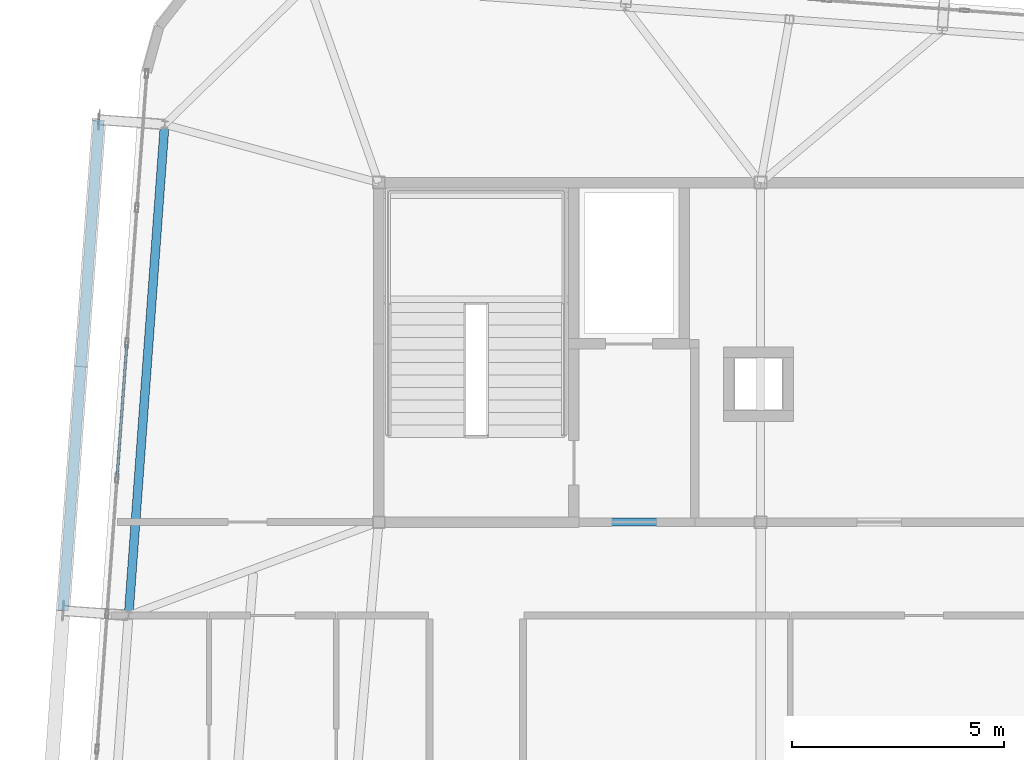
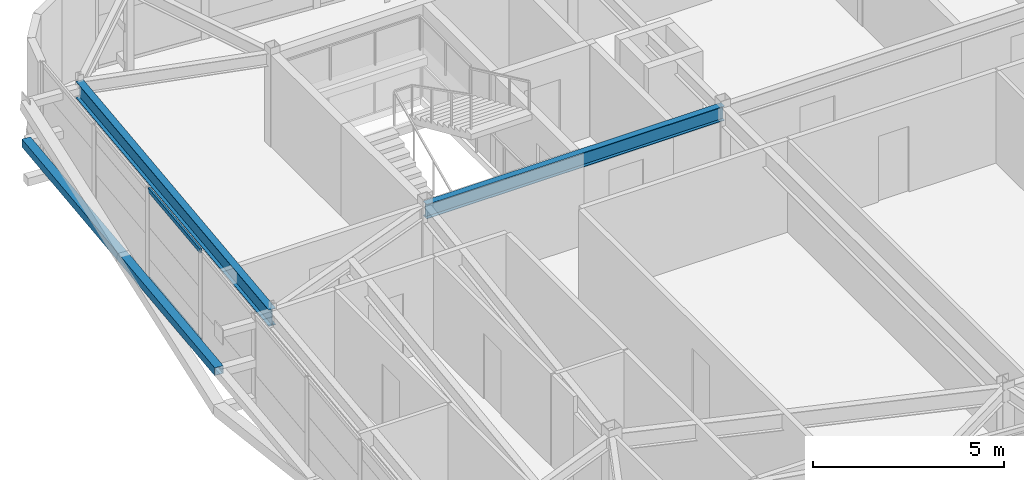
# One storey, part 16 of 42: 3 members, 2 beams, 1 element without a shape of its own.
"""IFC4 building model written with IfcOpenShell, lengths in metres."""

import ifcopenshell
import ifcopenshell.guid

model = None  # the IFC model being written
_history = None  # IfcOwnerHistory: only IFC2X3 demands one
_inside = {}  # id of a spatial element -> (the spatial element, [elements in it])
_under = {}  # id of a project, library or spatial element -> (it, [spatial elements below it])
_declared = {}  # id of a project -> (the project, [libraries it declares])
_typed = {}  # id of a type object -> (the type object, [elements of that type])
_made_of = {}  # id of a material, layer set ... -> (it, [elements and type objects made of it])


def new_model(schema):
    """Start an empty IFC model of exactly this schema.

    Asked for "IFC4X3", IfcOpenShell would pick the latest addendum, in which some entities
    have other attributes; the version numbers below select the first issue.
    IFC2X3 requires an IfcOwnerHistory on every rooted entity: one is made here for all.
    """
    global model, _history
    if schema == "IFC4X3":
        model = ifcopenshell.file(schema_version=(4, 3, 0, 0))
    else:
        model = ifcopenshell.file(schema=schema)
    _inside.clear()
    _under.clear()
    _declared.clear()
    _typed.clear()
    _made_of.clear()
    _history = None
    if model.schema == "IFC2X3":
        org = make("IfcOrganization", Name="unknown")
        user = make(
            "IfcPersonAndOrganization",
            ThePerson=make("IfcPerson", FamilyName="unknown"),
            TheOrganization=org,
        )
        app = make(
            "IfcApplication",
            ApplicationDeveloper=org,
            Version="unknown",
            ApplicationFullName="unknown",
            ApplicationIdentifier="unknown",
        )
        _history = make(
            "IfcOwnerHistory",
            OwningUser=user,
            OwningApplication=app,
            ChangeAction="ADDED",
            CreationDate=0,
        )
    return model


def make(cls, **values):
    """One entity of the class cls with the attributes given. An attribute that is None is left unset."""
    return model.create_entity(
        cls, **{name: value for name, value in values.items() if value is not None}
    )


def rooted(cls, **values):
    """An entity with a GlobalId (a new one), such as an element, a storey or a relation."""
    return make(cls, GlobalId=ifcopenshell.guid.new(), OwnerHistory=_history, **values)


def si_unit(unit_type, name, prefix=None):
    """IfcSIUnit, for example si_unit("LENGTHUNIT", "METRE", prefix="MILLI")."""
    return make("IfcSIUnit", UnitType=unit_type, Prefix=prefix, Name=name)


def assignment(units):
    """IfcUnitAssignment: the units of a project."""
    return None if units is None else make("IfcUnitAssignment", Units=units)


def point(xyz):
    """IfcCartesianPoint."""
    return None if xyz is None else make("IfcCartesianPoint", Coordinates=xyz)


def direction(xyz):
    """IfcDirection."""
    return None if xyz is None else make("IfcDirection", DirectionRatios=xyz)


def frame(location, z_axis=None, x_axis=None):
    """IfcAxis2Placement3D, a coordinate frame: its origin and axes. An axis left out is left unset."""
    return make(
        "IfcAxis2Placement3D",
        Location=point(location),
        Axis=direction(z_axis),
        RefDirection=direction(x_axis),
    )


def frame_2d(location, x_axis=None):
    """IfcAxis2Placement2D, a coordinate frame in the plane: its origin and x axis."""
    return make(
        "IfcAxis2Placement2D", Location=point(location), RefDirection=direction(x_axis)
    )


def origin():
    """The frame at (0, 0, 0) with its axes left unset."""
    return frame((0.0, 0.0, 0.0))


def origin_2d():
    """The frame at (0, 0) in the plane with its x axis left unset."""
    return frame_2d((0.0, 0.0))


def place(relative_to, where):
    """IfcLocalPlacement: puts the frame where relative to a parent placement (None: the world)."""
    return make(
        "IfcLocalPlacement", PlacementRelTo=relative_to, RelativePlacement=where
    )


def context(
    kind, dimensions, precision=None, world=None, true_north=None, identifier=None
):
    """IfcGeometricRepresentationContext, for example the 3D "Model" context."""
    return make(
        "IfcGeometricRepresentationContext",
        ContextIdentifier=identifier,
        ContextType=kind,
        CoordinateSpaceDimension=dimensions,
        Precision=precision,
        WorldCoordinateSystem=world,
        TrueNorth=true_north,
    )


def subcontext(parent, identifier, kind, view, scale=None):
    """IfcGeometricRepresentationSubContext, for example "Body" below "Model"."""
    return make(
        "IfcGeometricRepresentationSubContext",
        ContextIdentifier=identifier,
        ContextType=kind,
        ParentContext=parent,
        TargetScale=scale,
        TargetView=view,
    )


def project(units=None, contexts=None):
    """IfcProject with its units and contexts."""
    return rooted(
        "IfcProject",
        Name="project",
        RepresentationContexts=contexts,
        UnitsInContext=assignment(units),
    )


def spatial(cls, under=None, at=None, **own):
    """A site, building, storey or space (cls), placed at a placement, below another one or the project."""
    s = rooted(cls, ObjectPlacement=at, **own)
    if under is not None:
        _under.setdefault(under.id(), (under, []))[1].append(s)
    return s


def profile(cls, at=None, kind="AREA", **sizes):
    """A parametric profile (cls). Its sizes go by their IFC names, for example OverallWidth=200.0."""
    return make(cls, ProfileType=kind, Position=at, **sizes)


def hollow_rectangle(**sizes):
    """IfcRectangleHollowProfileDef."""
    return profile("IfcRectangleHollowProfileDef", **sizes)


def i_section(**sizes):
    """IfcIShapeProfileDef."""
    return profile("IfcIShapeProfileDef", **sizes)


def extrude(swept, where, along, depth):
    """IfcExtrudedAreaSolid: the profile swept, set in the frame where, extruded along a direction by depth."""
    return make(
        "IfcExtrudedAreaSolid",
        SweptArea=swept,
        Position=where,
        ExtrudedDirection=direction(along),
        Depth=depth,
    )


def shape(context_of_items, identifier, shape_type, items):
    """IfcShapeRepresentation: the items that make up one representation, for example the "Body"."""
    return make(
        "IfcShapeRepresentation",
        ContextOfItems=context_of_items,
        RepresentationIdentifier=identifier,
        RepresentationType=shape_type,
        Items=items,
    )


def source(mapping_origin, context_of_items, identifier, shape_type, items):
    """IfcRepresentationMap: a shape defined once, which mapped items show again and again."""
    return make(
        "IfcRepresentationMap",
        MappingOrigin=mapping_origin,
        MappedRepresentation=shape(context_of_items, identifier, shape_type, items),
    )


def transform(
    local_origin,
    x_axis=None,
    y_axis=None,
    z_axis=None,
    scale=None,
    scale2=None,
    scale3=None,
    uniform=True,
):
    """IfcCartesianTransformationOperator3D, or its non-uniform kind. x_axis, y_axis, z_axis: its Axis1, 2, 3."""
    if uniform:
        return make(
            "IfcCartesianTransformationOperator3D",
            Axis1=direction(x_axis),
            Axis2=direction(y_axis),
            LocalOrigin=point(local_origin),
            Scale=scale,
            Axis3=direction(z_axis),
        )
    return make(
        "IfcCartesianTransformationOperator3DnonUniform",
        Axis1=direction(x_axis),
        Axis2=direction(y_axis),
        LocalOrigin=point(local_origin),
        Scale=scale,
        Axis3=direction(z_axis),
        Scale2=scale2,
        Scale3=scale3,
    )


def mapped(mapping_source, mapping_target):
    """IfcMappedItem: shows the shape of a source again, moved by a transform."""
    return make(
        "IfcMappedItem", MappingSource=mapping_source, MappingTarget=mapping_target
    )


def material(Name=None, Category=None):
    """IfcMaterial."""
    return make("IfcMaterial", Name=Name, Category=Category)


def layer(
    of_material, thickness, ventilated=None, Name=None, Category=None, Priority=None
):
    """IfcMaterialLayer: one layer of a wall or slab, of a material (None: an air gap)."""
    return make(
        "IfcMaterialLayer",
        Material=of_material,
        LayerThickness=thickness,
        IsVentilated=ventilated,
        Name=Name,
        Category=Category,
        Priority=Priority,
    )


def layer_set(layers, Name=None):
    """IfcMaterialLayerSet."""
    return make("IfcMaterialLayerSet", MaterialLayers=layers, LayerSetName=Name)


def material_profile(
    of_material, cross_section, Name=None, Category=None, Priority=None
):
    """IfcMaterialProfile: a cross section and its material."""
    return make(
        "IfcMaterialProfile",
        Name=Name,
        Material=of_material,
        Profile=cross_section,
        Priority=Priority,
        Category=Category,
    )


def profile_set(profiles, Name=None, composite=None):
    """IfcMaterialProfileSet."""
    return make(
        "IfcMaterialProfileSet",
        Name=Name,
        MaterialProfiles=profiles,
        CompositeProfile=composite,
    )


def made_of(thing, what):
    """Note that an element or type object is made of a material, layer set ...; save() writes the relation."""
    if what is not None:
        _made_of.setdefault(what.id(), (what, []))[1].append(thing)
    return thing


def type_object(cls, material=None, **own):
    """A type object (cls), such as IfcWallType, which elements share."""
    return made_of(rooted(cls, **own), material)


def element(
    cls,
    number,
    at=None,
    inside=None,
    cuts=None,
    type_object=None,
    material=None,
    context=None,
    identifier="Body",
    shape_type=None,
    held_by="IfcProductDefinitionShape",
    body=None,
    shapes=None,
    **own,
):
    """One element of the class cls, such as IfcWall. Its Tag is "e" and its number.

    at: its placement. inside: the storey or other place that contains it. cuts: it is an
    opening in that element (IfcRelVoidsElement). A single representation is given by context,
    identifier, shape_type and body (its items); several are given by shapes. held_by: the class
    of the entity that holds the representations. save() writes the other relations.
    """
    e = rooted(cls, Tag="e%d" % number, ObjectPlacement=at, **own)
    if body is not None:
        shapes = [shape(context, identifier, shape_type, body)]
    if shapes is not None:
        e.Representation = make(held_by, Representations=shapes)
    if inside is not None:
        _inside.setdefault(inside.id(), (inside, []))[1].append(e)
    if cuts is not None:
        rooted(
            "IfcRelVoidsElement", RelatingBuildingElement=cuts, RelatedOpeningElement=e
        )
    if type_object is not None:
        _typed.setdefault(type_object.id(), (type_object, []))[1].append(e)
    return made_of(e, material)


def aggregate(whole, parts):
    """IfcRelAggregates: a whole, such as a stair, and the parts it consists of."""
    return rooted("IfcRelAggregates", RelatingObject=whole, RelatedObjects=parts)


def save(model, path):
    """Write the relations noted so far, then the file.

    IfcRelAggregates (storeys below a building ...), IfcRelContainedInSpatialStructure (elements
    in a storey), IfcRelDefinesByType, IfcRelAssociatesMaterial and IfcRelDeclares: one each for
    every whole, place, type object, material and project.
    """
    for whole, parts in _under.values():
        aggregate(whole, parts)
    for where, things in _inside.values():
        rooted(
            "IfcRelContainedInSpatialStructure",
            RelatedElements=things,
            RelatingStructure=where,
        )
    for kind, things in _typed.values():
        rooted("IfcRelDefinesByType", RelatedObjects=things, RelatingType=kind)
    for what, things in _made_of.values():
        rooted("IfcRelAssociatesMaterial", RelatedObjects=things, RelatingMaterial=what)
    for by, libraries in _declared.values():
        rooted("IfcRelDeclares", RelatingContext=by, RelatedDefinitions=libraries)
    model.write(path)


model = new_model("IFC4")

# Units and contexts
model_context = context("Model", 3, precision=1e-05, world=origin(), true_north=direction((0.0, 1.0)))
body_context = subcontext(model_context, "Body", "Model", "MODEL_VIEW")
ifc_project = project(units=[si_unit("LENGTHUNIT", "METRE"), si_unit("AREAUNIT", "SQUARE_METRE"), si_unit("VOLUMEUNIT", "CUBIC_METRE"), si_unit("PLANEANGLEUNIT", "RADIAN"), si_unit("MASSUNIT", "GRAM", prefix="KILO")], contexts=[model_context])

# Site, building, storey
site_placement = place(None, origin())
site = spatial("IfcSite", under=ifc_project, at=site_placement, CompositionType="ELEMENT")
building_placement = place(site_placement, origin())
building = spatial("IfcBuilding", under=site, at=building_placement, Name="Taldren Reach Tower", CompositionType="ELEMENT")
storey_placement = place(building_placement, frame((0.0, 0.0, 220.85009765625)))
storey = spatial("IfcBuildingStorey", under=building, at=storey_placement, Name="L67", CompositionType="ELEMENT", Elevation=220.85009765625)

# Beams
ifc_material_1 = material(Name="Steel Gr 350 (350PLUS)", Category="steel")
ifc_material_profile_1 = material_profile(ifc_material_1, i_section(OverallWidth=0.19091796875, OverallDepth=0.4599609375, WebThickness=0.010009765625, FlangeThickness=0.01611328125, at=origin_2d()), Name="460UB82.1")
ifc_profile_set_1 = profile_set([ifc_material_profile_1], Name="Steel Gr 350 (350PLUS)")
beam_type_1 = type_object("IfcBeamType", Name="BM-UB460A", PredefinedType="BEAM", material=ifc_profile_set_1)
shared_shape_1 = source(origin(), body_context, "Body", "SweptSolid", [
    extrude(i_section(OverallWidth=0.19091796875, OverallDepth=0.4599609375, WebThickness=0.010009765625, FlangeThickness=0.01611328125, at=origin_2d()), origin(), (0.0, 0.0, 1.0), 9.0),
])
beam_1_placement = place(storey_placement, frame((19.0, 24.0, 2.699951171875), z_axis=(1.0, 0.0, 0.0), x_axis=(0.0, 1.0, 0.0)))
element("IfcBeam", 1, at=beam_1_placement, inside=storey, type_object=beam_type_1, Name="Core-spine girder L67-SP01", PredefinedType="BEAM", context=body_context, shape_type="MappedRepresentation", body=[
    mapped(shared_shape_1, transform((0.0, 0.0, 0.0), scale=1.0)),
])
ifc_material_profile_2 = material_profile(ifc_material_1, i_section(OverallWidth=0.208984375, OverallDepth=0.528076171875, WebThickness=0.009521484375, FlangeThickness=0.01318359375, at=origin_2d()), Name="530UB82.0")
ifc_profile_set_2 = profile_set([ifc_material_profile_2], Name="Steel Gr 350 (350PLUS)")
beam_type_2 = type_object("IfcBeamType", Name="SP-UB530B", PredefinedType="SPANDREL", material=ifc_profile_set_2)
shared_shape_2 = source(origin(), body_context, "Body", "SweptSolid", [
    extrude(i_section(OverallWidth=0.208984375, OverallDepth=0.528076171875, WebThickness=0.009521484375, FlangeThickness=0.01318359375, at=origin_2d()), origin(), (0.0, 0.0, 1.0), 11.60009765625),
])
beam_2_placement = place(storey_placement, frame((13.958251953125, 33.369140625, 2.666015625), z_axis=(-0.073242167855, -0.997314185625, 0.0), x_axis=(0.997314185625, -0.073242167855, 0.0)))
element("IfcBeam", 2, at=beam_2_placement, inside=storey, type_object=beam_type_2, Name="Perimeter spandrel B5 W3-W2 L67", PredefinedType="SPANDREL", context=body_context, shape_type="MappedRepresentation", body=[
    mapped(shared_shape_2, transform((0.0, 0.0, 0.0), scale=1.0)),
])

# Member
ifc_material_2 = material(Name="Steel Gr 350 (C350L0)", Category="steel")
ifc_material_profile_3 = material_profile(ifc_material_2, hollow_rectangle(XDim=0.25, YDim=0.25, WallThickness=0.010009765625, at=origin_2d()), Name="250x250x10.0SHS")
ifc_profile_set_3 = profile_set([ifc_material_profile_3], Name="Steel Gr 350 (C350L0)")
member_type_1 = type_object("IfcMemberType", Name="MB-POST250", PredefinedType="POST", material=ifc_profile_set_3)
shared_shape_3 = source(origin(), body_context, "Body", "SweptSolid", [
    extrude(hollow_rectangle(XDim=0.25, YDim=0.25, WallThickness=0.010009765625, at=origin_2d()), origin(), (0.0, 0.0, 1.0), 11.60009765625),
])
member_1_placement = place(storey_placement, frame((11.562744140625, 21.913818359375, 1.434814453125), z_axis=(0.073242167855, 0.997314185625, 0.0), x_axis=(-0.997314185625, 0.073242167855, 0.0)))
element("IfcMember", 3, at=member_1_placement, inside=storey, type_object=member_type_1, Name="Exoskeleton mid-height ring chord B5-W2 L67", PredefinedType="POST", context=body_context, shape_type="MappedRepresentation", body=[
    mapped(shared_shape_3, transform((0.0, 0.0, 0.0), scale=1.0)),
])

# Curtain wall, members
ifc_material_3 = material(Name="Aluminium and Low-E Glass Unitised System", Category="aluminium")
ifc_layer = layer(ifc_material_3, 0.159912109375)
ifc_layer_set = layer_set([ifc_layer], Name="Aluminium and Low-E Glass Unitised System")
curtain_wall_type = type_object("IfcCurtainWallType", Name="CW-SYS-6", PredefinedType="NOTDEFINED", material=ifc_layer_set)
curtain_wall_placement = place(storey_placement, origin())
curtain_wall = element("IfcCurtainWall", 4, at=curtain_wall_placement, inside=storey, type_object=curtain_wall_type, Name="Unitised curtain wall CW-L67-W", PredefinedType="NOTDEFINED")
ifc_material_4 = material(Name="Anodised Aluminium 6063-T6", Category="aluminium")
ifc_material_profile_4 = material_profile(ifc_material_4, hollow_rectangle(XDim=0.06005859375, YDim=0.135009765625, WallThickness=0.00341796875, at=origin_2d()), Name="ALU-135x60x3.5RHS")
ifc_profile_set_4 = profile_set([ifc_material_profile_4], Name="Anodised Aluminium 6063-T6")
member_type_2 = type_object("IfcMemberType", Name="CW-TRN-150", PredefinedType="USERDEFINED", material=ifc_profile_set_4)
shared_shape_4 = source(origin(), body_context, "Body", "SweptSolid", [
    extrude(hollow_rectangle(XDim=0.06005859375, YDim=0.135009765625, WallThickness=0.00341796875, at=origin_2d()), origin(), (0.0, 0.0, 1.0), 3.125),
])
member_2_placement = place(storey_placement, frame((13.06591796875, 28.18310546875, 0.02978515625), z_axis=(-0.073201175928, -0.997317195201, 0.0), x_axis=(0.997317195201, -0.073201175928, 0.0)))
member_2 = element("IfcMember", 5, at=member_2_placement, type_object=member_type_2, Name="CW-6 transom 3.1", ObjectType="TRANSOM", PredefinedType="USERDEFINED", context=body_context, shape_type="MappedRepresentation", body=[
    mapped(shared_shape_4, transform((0.0, 0.0, 0.0), scale=1.0)),
])
member_3_placement = place(storey_placement, frame((13.06591796875, 28.18310546875, 2.89990234375), z_axis=(-0.073201175928, -0.997317195201, 0.0), x_axis=(0.997317195201, -0.073201175928, 0.0)))
member_3 = element("IfcMember", 6, at=member_3_placement, type_object=member_type_2, Name="CW-6 transom 3.2", ObjectType="TRANSOM", PredefinedType="USERDEFINED", context=body_context, shape_type="MappedRepresentation", body=[
    mapped(shared_shape_4, transform((0.0, 0.0, 0.0), scale=1.0)),
])
aggregate(curtain_wall, [member_2, member_3])

save(model, "model.ifc")
